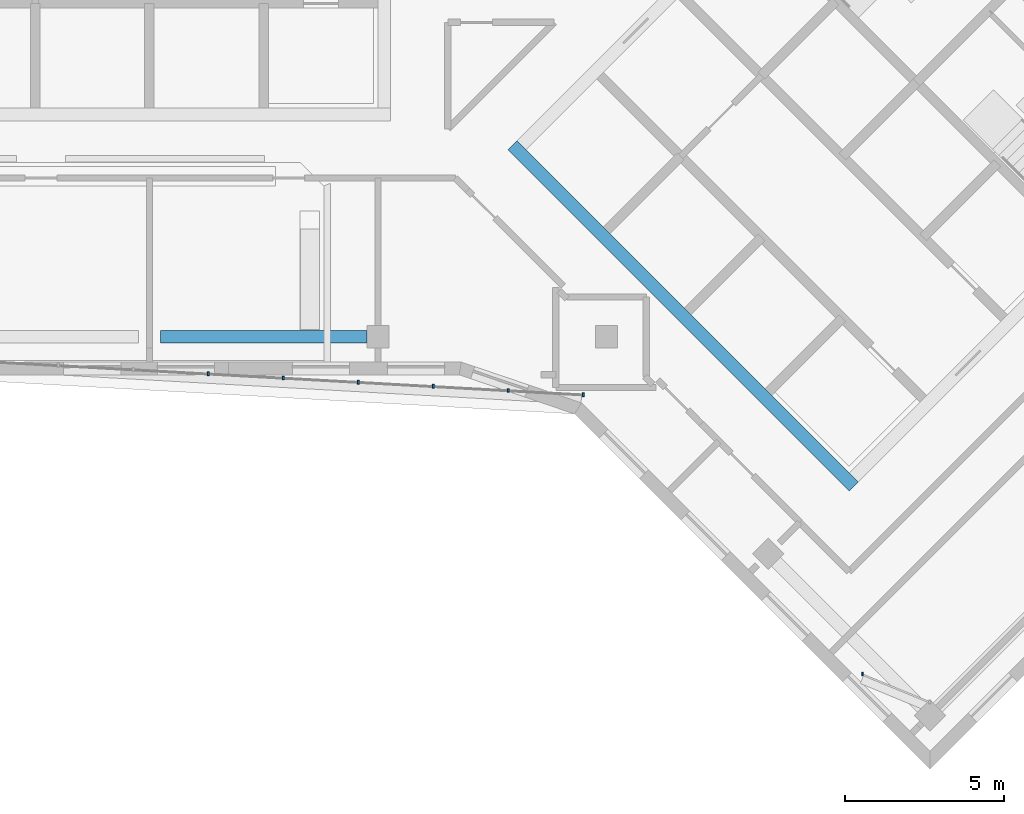
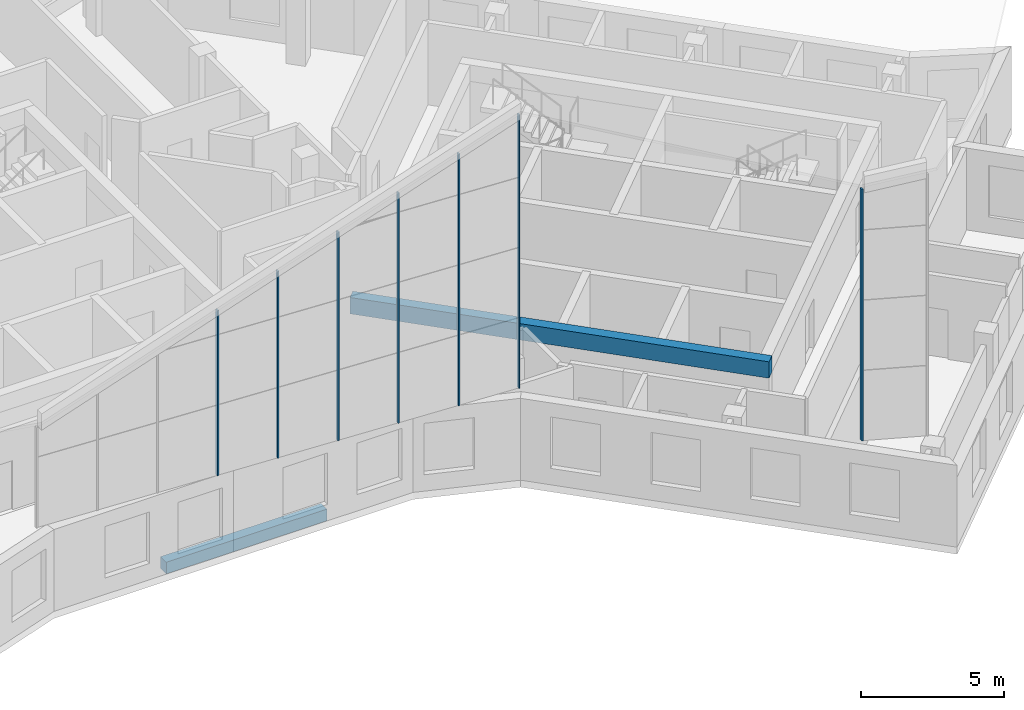
# One storey, part 5 of 20: 7 members, 2 beams, 2 elements without a shape of their own.
"""IFC4 building model written with IfcOpenShell, lengths in metres."""

from ifc_helpers import new_model, si_unit, direction, frame, origin, origin_2d, place, context, subcontext, project, spatial, rectangle, extrude, material, material_profile, profile_set, type_object, element, aggregate, save


model = new_model("IFC4")

# Units and contexts
model_context = context("Model", 3, precision=1e-05, world=origin(), true_north=direction((0.0, 1.0)))
body_context = subcontext(model_context, "Body", "Model", "MODEL_VIEW")
ifc_project = project(units=[si_unit("LENGTHUNIT", "METRE"), si_unit("AREAUNIT", "SQUARE_METRE"), si_unit("VOLUMEUNIT", "CUBIC_METRE"), si_unit("PLANEANGLEUNIT", "RADIAN"), si_unit("MASSUNIT", "GRAM", prefix="KILO")], contexts=[model_context])

# Site, building, storey
site_placement = place(None, origin())
site = spatial("IfcSite", under=ifc_project, at=site_placement, CompositionType="ELEMENT")
building_placement = place(site_placement, origin())
building = spatial("IfcBuilding", under=site, at=building_placement, Name="Windrow Commons", CompositionType="ELEMENT")
storey_placement = place(building_placement, frame((0.0, 0.0, 290.6)))
storey = spatial("IfcBuildingStorey", under=building, at=storey_placement, Name="L79", CompositionType="ELEMENT", Elevation=290.6)

# Curtain wall, member
ifc_material_1 = material(Name="Laminated glass in anodised aluminium frame", Category="aluminium")
curtain_wall_type = type_object("IfcCurtainWallType", Name="Curtain wall crown terrace screen", PredefinedType="USERDEFINED", material=ifc_material_1)
placement = place(storey_placement, origin())
curtain_wall_1 = element("IfcCurtainWall", 1, at=placement, inside=storey, type_object=curtain_wall_type, Name="Glazed crown screen L79", ObjectType="STICK", PredefinedType="USERDEFINED")
ifc_material_2 = material(Name="Anodised aluminium", Category="aluminium")
ifc_material_profile_1 = material_profile(ifc_material_2, rectangle(XDim=0.06, YDim=0.12, at=origin_2d()))
ifc_profile_set_1 = profile_set([ifc_material_profile_1], Name="Anodised aluminium")
member_type = type_object("IfcMemberType", Name="Crown screen mullion 60x120", PredefinedType="MULLION", material=ifc_profile_set_1)
member_1_placement = place(storey_placement, frame((87.2586, 32.5741, 3.5), z_axis=(0.0, 0.0, 1.0), x_axis=(1.0, 0.0, 0.0)))
member_1 = element("IfcMember", 2, at=member_1_placement, type_object=member_type, Name="Crown screen mullion L79", PredefinedType="MULLION", context=body_context, shape_type="SweptSolid", body=[
    extrude(rectangle(XDim=0.06, YDim=0.12, at=origin_2d()), origin(), (0.0, 0.0, 1.0), 10.7692),
])
aggregate(curtain_wall_1, [member_1])

# Curtain wall, members
curtain_wall_2 = element("IfcCurtainWall", 3, at=placement, inside=storey, type_object=curtain_wall_type, Name="Glazed crown screen L79", ObjectType="STICK", PredefinedType="USERDEFINED")
member_2_placement = place(storey_placement, frame((78.4599, 41.3728, 3.5), z_axis=(0.0, 0.0, 1.0), x_axis=(1.0, 0.0, 0.0)))
member_2 = element("IfcMember", 4, at=member_2_placement, type_object=member_type, Name="Crown screen mullion L79", PredefinedType="MULLION", context=body_context, shape_type="SweptSolid", body=[
    extrude(rectangle(XDim=0.06, YDim=0.12, at=origin_2d()), origin(), (0.0, 0.0, 1.0), 11.6961),
])
member_3_placement = place(storey_placement, frame((76.0984, 41.5047, 3.5), z_axis=(0.0, 0.0, 1.0), x_axis=(1.0, 0.0, 0.0)))
member_3 = element("IfcMember", 5, at=member_3_placement, type_object=member_type, Name="Crown screen mullion L79", PredefinedType="MULLION", context=body_context, shape_type="SweptSolid", body=[
    extrude(rectangle(XDim=0.06, YDim=0.12, at=origin_2d()), origin(), (0.0, 0.0, 1.0), 10.7705),
])
member_4_placement = place(storey_placement, frame((73.7369, 41.6366, 3.5), z_axis=(0.0, 0.0, 1.0), x_axis=(1.0, 0.0, 0.0)))
member_4 = element("IfcMember", 6, at=member_4_placement, type_object=member_type, Name="Crown screen mullion L79", PredefinedType="MULLION", context=body_context, shape_type="SweptSolid", body=[
    extrude(rectangle(XDim=0.06, YDim=0.12, at=origin_2d()), origin(), (0.0, 0.0, 1.0), 9.8449),
])
member_5_placement = place(storey_placement, frame((71.3755, 41.7685, 3.5), z_axis=(0.0, 0.0, 1.0), x_axis=(1.0, 0.0, 0.0)))
member_5 = element("IfcMember", 7, at=member_5_placement, type_object=member_type, Name="Crown screen mullion L79", PredefinedType="MULLION", context=body_context, shape_type="SweptSolid", body=[
    extrude(rectangle(XDim=0.06, YDim=0.12, at=origin_2d()), origin(), (0.0, 0.0, 1.0), 8.9194),
])
member_6_placement = place(storey_placement, frame((69.014, 41.9003, 3.5), z_axis=(0.0, 0.0, 1.0), x_axis=(1.0, 0.0, 0.0)))
member_6 = element("IfcMember", 8, at=member_6_placement, type_object=member_type, Name="Crown screen mullion L79", PredefinedType="MULLION", context=body_context, shape_type="SweptSolid", body=[
    extrude(rectangle(XDim=0.06, YDim=0.12, at=origin_2d()), origin(), (0.0, 0.0, 1.0), 7.9938),
])
member_7_placement = place(storey_placement, frame((66.6525, 42.0322, 3.5), z_axis=(0.0, 0.0, 1.0), x_axis=(1.0, 0.0, 0.0)))
member_7 = element("IfcMember", 9, at=member_7_placement, type_object=member_type, Name="Crown screen mullion L79", PredefinedType="MULLION", context=body_context, shape_type="SweptSolid", body=[
    extrude(rectangle(XDim=0.06, YDim=0.12, at=origin_2d()), origin(), (0.0, 0.0, 1.0), 7.0682),
])
aggregate(curtain_wall_2, [member_2, member_3, member_4, member_5, member_6, member_7])

# Beams
ifc_material_3 = material(Name="Concrete C40/50", Category="concrete")
ifc_material_profile_2 = material_profile(ifc_material_3, rectangle(XDim=0.4, YDim=0.7, at=origin_2d()))
ifc_profile_set_2 = profile_set([ifc_material_profile_2], Name="Concrete C40/50")
beam_type_1 = type_object("IfcBeamType", Name="RC COUPLING BEAM 400x700 C40/50", PredefinedType="LINTEL", material=ifc_profile_set_2)
beam_1_placement = place(storey_placement, frame((76.2302, 49.2312, 3.15), z_axis=(0.7071034917, -0.7071100706, 0.0), x_axis=(0.7071100706, 0.7071034917, 0.0)))
element("IfcBeam", 10, at=beam_1_placement, inside=storey, type_object=beam_type_1, Name="Core B coupling beam outer-S", PredefinedType="LINTEL", context=body_context, shape_type="SweptSolid", body=[
    extrude(rectangle(XDim=0.4, YDim=0.7, at=origin_2d()), origin(), (0.0, 0.0, 1.0), 15.2),
])
ifc_material_4 = material(Name="Concrete C40/50", Category="concrete")
ifc_material_profile_3 = material_profile(ifc_material_4, rectangle(XDim=0.4, YDim=0.5, at=origin_2d()))
ifc_profile_set_3 = profile_set([ifc_material_profile_3], Name="Concrete C40/50")
beam_type_2 = type_object("IfcBeamType", Name="RC EDGE BEAM 400x500 C40/50", PredefinedType="SPANDREL", material=ifc_profile_set_3)
beam_2_placement = place(storey_placement, frame((71.65, 43.2, -0.55), z_axis=(-1.0, 0.0, 0.0), x_axis=(0.0, -1.0, 0.0)))
element("IfcBeam", 11, at=beam_2_placement, inside=storey, type_object=beam_type_2, Name="Edge beam L79 020", PredefinedType="SPANDREL", context=body_context, shape_type="SweptSolid", body=[
    extrude(rectangle(XDim=0.4, YDim=0.5, at=origin_2d()), origin(), (0.0, 0.0, 1.0), 6.5),
])

save(model, "model.ifc")
